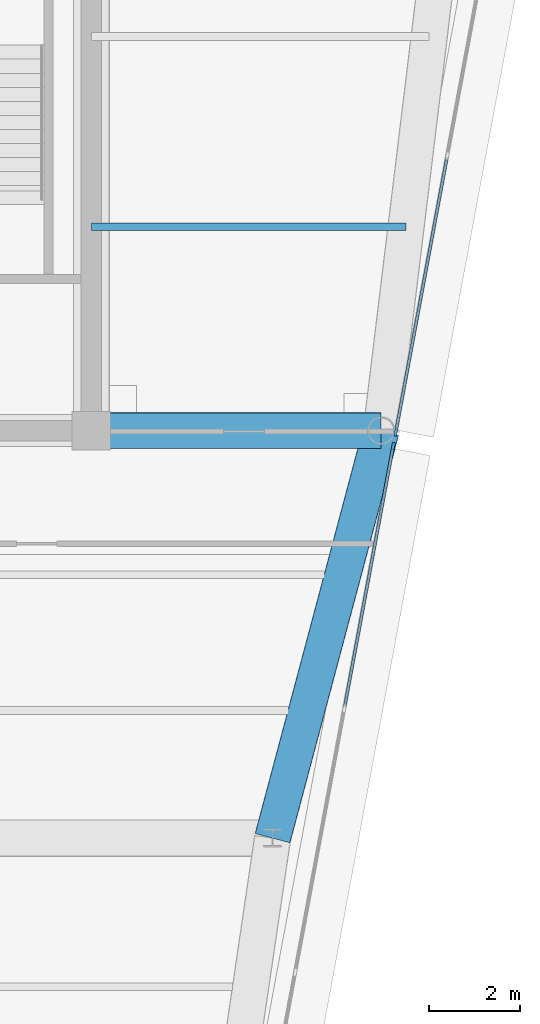
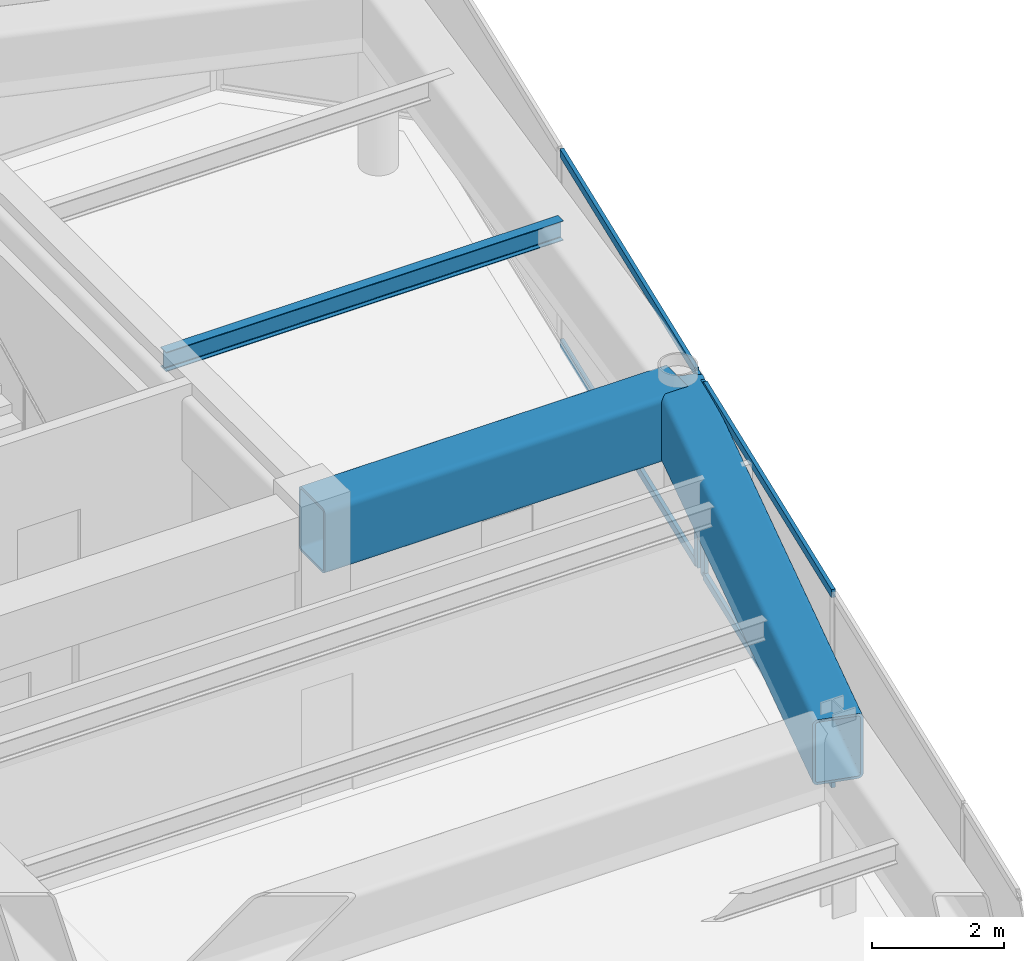
# One storey, part 6 of 18: 6 members, 3 beams, 2 elements without a shape of their own.
"""IFC4 building model written with IfcOpenShell, lengths in metres."""

from ifc_helpers import new_model, si_unit, direction, frame, origin, origin_2d, place, context, subcontext, project, spatial, rectangle, hollow_rectangle, i_section, extrude, source, transform, mapped, material, layer, layer_set, material_profile, profile_set, type_object, element, aggregate, save


model = new_model("IFC4")

# Units and contexts
model_context = context("Model", 3, precision=1e-05, world=origin(), true_north=direction((0.0, 1.0)))
body_context = subcontext(model_context, "Body", "Model", "MODEL_VIEW")
ifc_project = project(units=[si_unit("LENGTHUNIT", "METRE"), si_unit("AREAUNIT", "SQUARE_METRE"), si_unit("VOLUMEUNIT", "CUBIC_METRE"), si_unit("PLANEANGLEUNIT", "RADIAN"), si_unit("MASSUNIT", "GRAM", prefix="KILO")], contexts=[model_context])

# Site, building, storey
site_placement = place(None, origin())
site = spatial("IfcSite", under=ifc_project, at=site_placement, CompositionType="ELEMENT")
building_placement = place(site_placement, origin())
building = spatial("IfcBuilding", under=site, at=building_placement, Name="Vaeldorn Concourse Tower", CompositionType="ELEMENT")
storey_placement = place(building_placement, frame((0.0, 0.0, 265.0)))
storey = spatial("IfcBuildingStorey", under=building, at=storey_placement, Name="L68", CompositionType="ELEMENT", Elevation=265.0)

# Beams
ifc_material_1 = material(Name="Steel S460", Category="steel")
ifc_material_profile_1 = material_profile(ifc_material_1, hollow_rectangle(XDim=0.800048828125, YDim=1.199951171875, WallThickness=0.044921875, InnerFilletRadius=0.044921875, OuterFilletRadius=0.090087890625, at=origin_2d()), Name="RHS 1200x800x45")
ifc_profile_set_1 = profile_set([ifc_material_profile_1], Name="Steel S460")
beam_type_1 = type_object("IfcBeamType", Name="BM-TG-RHS1200", PredefinedType="BEAM", material=ifc_profile_set_1)
shared_shape_1 = source(origin(), body_context, "Body", "SweptSolid", [
    extrude(hollow_rectangle(XDim=0.800048828125, YDim=1.199951171875, WallThickness=0.044921875, InnerFilletRadius=0.044921875, OuterFilletRadius=0.090087890625, at=origin_2d()), origin(), (0.0, 0.0, 1.0), 6.39990234375),
])
beam_1_placement = place(storey_placement, frame((54.0, 36.5, 2.97998046875), z_axis=(1.0, 0.0, 0.0), x_axis=(0.0, 1.0, 0.0)))
element("IfcBeam", 1, at=beam_1_placement, inside=storey, type_object=beam_type_1, Name="Beam BM-L68-C-FC6-C-NE2", PredefinedType="BEAM", context=body_context, shape_type="MappedRepresentation", body=[
    mapped(shared_shape_1, transform((0.0, 0.0, 0.0), scale=1.0)),
])
shared_shape_2 = source(origin(), body_context, "Body", "SweptSolid", [
    extrude(hollow_rectangle(XDim=0.800048828125, YDim=1.199951171875, WallThickness=0.044921875, InnerFilletRadius=0.044921875, OuterFilletRadius=0.090087890625, at=origin_2d()), origin(), (0.0, 0.0, 1.0), 9.314453125),
])
beam_2_placement = place(storey_placement, frame((60.39990234375, 36.5, 2.97998046875), z_axis=(-0.257652862255, -0.966237549763, 0.0), x_axis=(0.966237549763, -0.257652862255, 0.0)))
element("IfcBeam", 2, at=beam_2_placement, inside=storey, type_object=beam_type_1, Name="Beam BM-L68-C-NE2-C-FLE1", PredefinedType="BEAM", context=body_context, shape_type="MappedRepresentation", body=[
    mapped(shared_shape_2, transform((0.0, 0.0, 0.0), scale=1.0)),
])
ifc_material_2 = material(Name="Steel S355", Category="steel")
ifc_material_profile_2 = material_profile(ifc_material_2, i_section(OverallWidth=0.169921875, OverallDepth=0.360107421875, WebThickness=0.008056640625, FlangeThickness=0.0126953125, FilletRadius=0.01806640625, at=origin_2d()), Name="IPE 360")
ifc_profile_set_2 = profile_set([ifc_material_profile_2], Name="Steel S355")
beam_type_2 = type_object("IfcBeamType", Name="BM-JS-IPE360", PredefinedType="JOIST", material=ifc_profile_set_2)
shared_shape_3 = source(origin(), body_context, "Body", "SweptSolid", [
    extrude(i_section(OverallWidth=0.169921875, OverallDepth=0.360107421875, WebThickness=0.008056640625, FlangeThickness=0.0126953125, FilletRadius=0.01806640625, at=origin_2d()), origin(), (0.0, 0.0, 1.0), 6.94775390625),
])
beam_3_placement = place(storey_placement, frame((54.0, 41.0, 3.39990234375), z_axis=(1.0, 0.0, 0.0), x_axis=(0.0, 1.0, 0.0)))
element("IfcBeam", 3, at=beam_3_placement, inside=storey, type_object=beam_type_2, Name="Beam JS-L68-NE-410", PredefinedType="JOIST", context=body_context, shape_type="MappedRepresentation", body=[
    mapped(shared_shape_3, transform((0.0, 0.0, 0.0), scale=1.0)),
])

# Curtain wall, member
ifc_material_3 = material(Name="Anodised Bronze Aluminium", Category="aluminium")
ifc_layer = layer(ifc_material_3, 0.179931640625)
ifc_layer_set = layer_set([ifc_layer], Name="Anodised Bronze Aluminium")
curtain_wall_type = type_object("IfcCurtainWallType", Name="CW-SYS-05", PredefinedType="NOTDEFINED", material=ifc_layer_set)
curtain_wall_1_placement = place(storey_placement, origin())
curtain_wall_1 = element("IfcCurtainWall", 4, at=curtain_wall_1_placement, inside=storey, type_object=curtain_wall_type, Name="Unitised Curtain Wall CW-L68-E07-1", PredefinedType="NOTDEFINED")
ifc_material_profile_3 = material_profile(ifc_material_3, rectangle(XDim=0.06494140625, YDim=0.169921875, at=origin_2d()), Name="CWM 65x170")
ifc_profile_set_3 = profile_set([ifc_material_profile_3], Name="Anodised Bronze Aluminium")
member_type_1 = type_object("IfcMemberType", Name="CWM-BRONZE-170", PredefinedType="MULLION", material=ifc_profile_set_3)
shared_shape_4 = source(origin(), body_context, "Body", "SweptSolid", [
    extrude(rectangle(XDim=0.06494140625, YDim=0.169921875, at=origin_2d()), origin(), (0.0, 0.0, 1.0), 3.580078125),
])
member_1_placement = place(storey_placement, frame((60.663818359375, 36.153076171875, 0.0), z_axis=(0.0, 0.0, 1.0), x_axis=(-0.983102653673, 0.18305510739, 0.0)))
member_1 = element("IfcMember", 5, at=member_1_placement, type_object=member_type_1, Name="CW-05 mullion 5", PredefinedType="MULLION", context=body_context, shape_type="MappedRepresentation", body=[
    mapped(shared_shape_4, transform((0.0, 0.0, 0.0), scale=1.0)),
])

curtain_wall_2_placement = place(storey_placement, origin())
curtain_wall_2 = element("IfcCurtainWall", 6, at=curtain_wall_2_placement, inside=storey, type_object=curtain_wall_type, Name="Unitised Curtain Wall CW-L68-E07-2", PredefinedType="NOTDEFINED")
member_2_placement = place(storey_placement, frame((60.720947265625, 36.460205078125, 0.0), z_axis=(0.0, 0.0, 1.0), x_axis=(-0.983102768025, 0.183054493257, 0.0)))
member_2 = element("IfcMember", 7, at=member_2_placement, type_object=member_type_1, Name="CW-05 mullion 1", PredefinedType="MULLION", context=body_context, shape_type="MappedRepresentation", body=[
    mapped(shared_shape_4, transform((0.0, 0.0, 0.0), scale=1.0)),
])

# Member
ifc_material_profile_4 = material_profile(ifc_material_3, rectangle(XDim=0.06494140625, YDim=0.14990234375, at=origin_2d()), Name="CWT 65x150")
ifc_profile_set_4 = profile_set([ifc_material_profile_4], Name="Anodised Bronze Aluminium")
member_type_2 = type_object("IfcMemberType", Name="CWT-BRONZE-150", PredefinedType="USERDEFINED", material=ifc_profile_set_4)
shared_shape_5 = source(origin(), body_context, "Body", "SweptSolid", [
    extrude(rectangle(XDim=0.06494140625, YDim=0.14990234375, at=origin_2d()), origin(), (0.0, 0.0, 1.0), 5.82373046875),
])
member_3_placement = place(storey_placement, frame((59.591796875, 30.395751953125, 0.032470703125), z_axis=(0.183030414843, 0.983107251139, 0.0), x_axis=(-0.983107251139, 0.183030414843, 0.0)))
member_3 = element("IfcMember", 8, at=member_3_placement, type_object=member_type_2, Name="CW-05 transom 4.1", ObjectType="TRANSOM", PredefinedType="USERDEFINED", context=body_context, shape_type="MappedRepresentation", body=[
    mapped(shared_shape_5, transform((0.0, 0.0, 0.0), scale=1.0)),
])

member_4_placement = place(storey_placement, frame((59.591796875, 30.395751953125, 3.547607421875), z_axis=(0.183030414843, 0.983107251139, 0.0), x_axis=(-0.983107251139, 0.183030414843, 0.0)))
member_4 = element("IfcMember", 9, at=member_4_placement, type_object=member_type_2, Name="CW-05 transom 4.2", ObjectType="TRANSOM", PredefinedType="USERDEFINED", context=body_context, shape_type="MappedRepresentation", body=[
    mapped(shared_shape_5, transform((0.0, 0.0, 0.0), scale=1.0)),
])

aggregate(curtain_wall_1, [member_1, member_3, member_4])

shared_shape_6 = source(origin(), body_context, "Body", "SweptSolid", [
    extrude(rectangle(XDim=0.06494140625, YDim=0.14990234375, at=origin_2d()), origin(), (0.0, 0.0, 1.0), 6.143798828125),
])
member_5_placement = place(storey_placement, frame((60.726806640625, 36.4921875, 0.032470703125), z_axis=(0.183069583935, 0.983099958009, 0.0), x_axis=(-0.983099958009, 0.183069583935, 0.0)))
member_5 = element("IfcMember", 10, at=member_5_placement, type_object=member_type_2, Name="CW-05 transom 1.1", ObjectType="TRANSOM", PredefinedType="USERDEFINED", context=body_context, shape_type="MappedRepresentation", body=[
    mapped(shared_shape_6, transform((0.0, 0.0, 0.0), scale=1.0)),
])

member_6_placement = place(storey_placement, frame((60.726806640625, 36.4921875, 3.547607421875), z_axis=(0.183069583935, 0.983099958009, 0.0), x_axis=(-0.983099958009, 0.183069583935, 0.0)))
member_6 = element("IfcMember", 11, at=member_6_placement, type_object=member_type_2, Name="CW-05 transom 1.2", ObjectType="TRANSOM", PredefinedType="USERDEFINED", context=body_context, shape_type="MappedRepresentation", body=[
    mapped(shared_shape_6, transform((0.0, 0.0, 0.0), scale=1.0)),
])

aggregate(curtain_wall_2, [member_2, member_5, member_6])

save(model, "model.ifc")
